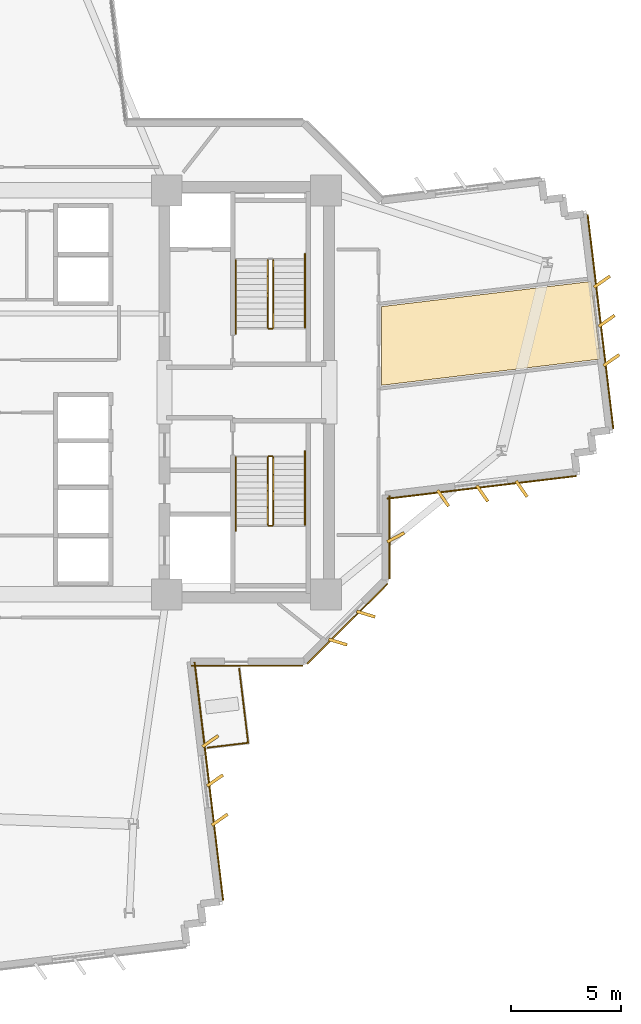
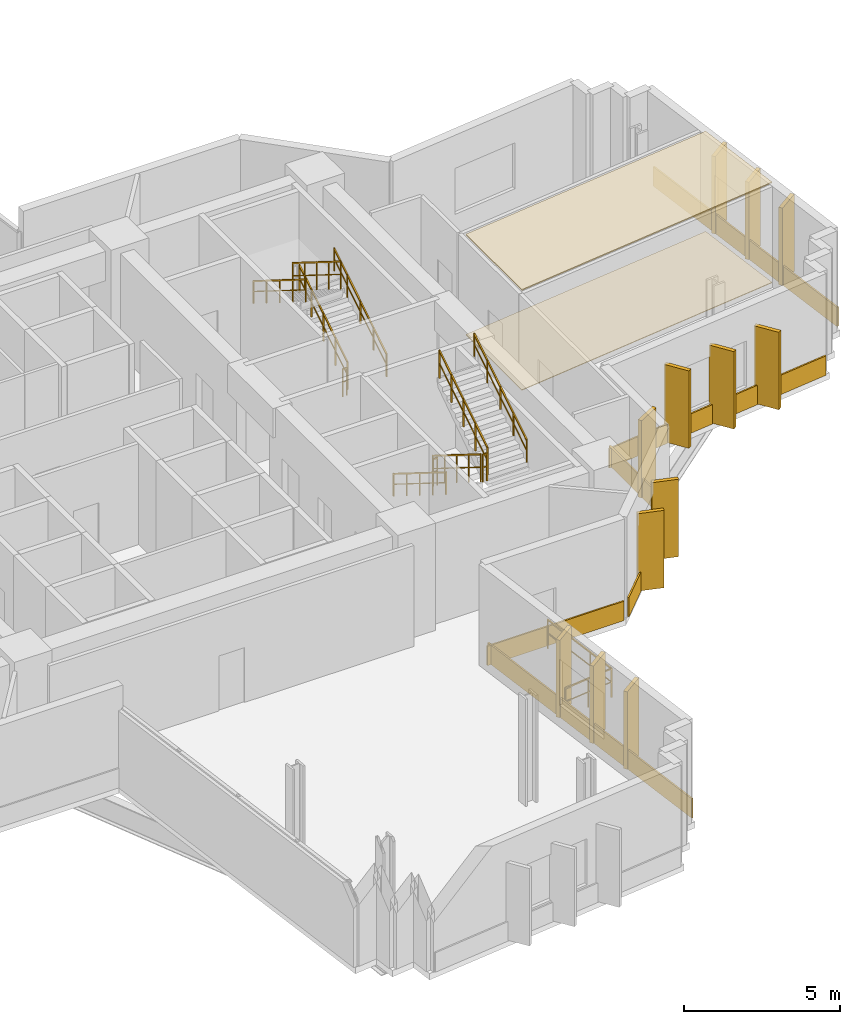
# One storey, part 13 of 15: 20 coverings, 13 railings.
"""IFC4 building model written with IfcOpenShell, lengths in metres."""

from ifc_helpers import new_model, si_unit, direction, frame, origin, origin_2d, place, context, subcontext, project, spatial, polyline, rectangle, outline, extrude, source, transform, mapped, material, layer, layer_set, type_object, element, save


model = new_model("IFC4")

# Units and contexts
model_context = context("Model", 3, precision=1e-05, world=origin(), true_north=direction((0.0, 1.0)))
body_context = subcontext(model_context, "Body", "Model", "MODEL_VIEW")
ifc_project = project(units=[si_unit("LENGTHUNIT", "METRE"), si_unit("AREAUNIT", "SQUARE_METRE"), si_unit("VOLUMEUNIT", "CUBIC_METRE"), si_unit("PLANEANGLEUNIT", "RADIAN"), si_unit("MASSUNIT", "GRAM", prefix="KILO")], contexts=[model_context])

# Site, building, storey
site_placement = place(None, origin())
site = spatial("IfcSite", under=ifc_project, at=site_placement, CompositionType="ELEMENT")
building_placement = place(site_placement, origin())
building = spatial("IfcBuilding", under=site, at=building_placement, Name="Zahravan Cultural Tower", CompositionType="ELEMENT")
storey_placement = place(building_placement, frame((0.0, 0.0, 104.699951171875)))
storey = spatial("IfcBuildingStorey", under=building, at=storey_placement, Name="L23", CompositionType="ELEMENT", Elevation=104.699951171875)

# Coverings
ifc_material_1 = material(Name="Acoustic mineral fibreboard")
ifc_layer_1 = layer(ifc_material_1, 0.0400390625)
ifc_layer_set_1 = layer_set([ifc_layer_1], Name="Acoustic mineral fibreboard")
covering_type_1 = type_object("IfcCoveringType", Name="COV-CEIL-AC20", PredefinedType="CEILING", material=ifc_layer_set_1)
covering_1_placement = place(storey_placement, frame((0.0, 0.0, 3.91015625)))
element("IfcCovering", 1, at=covering_1_placement, inside=storey, type_object=covering_type_1, Name="L23 Acoustic Suspended Ceiling", PredefinedType="CEILING", context=body_context, shape_type="SweptSolid", body=[
    extrude(outline(polyline([(62.85009765625, 28.5185546875), (62.42626953125, 32.05322265625), (52.889892578125, 30.909423828125), (52.889892578125, 27.323974609375), (62.85009765625, 28.5185546875)])), origin(), (0.0, 0.0, 1.0), 0.039794921875),
])
ifc_material_2 = material(Name="Terrazzo flooring")
ifc_layer_2 = layer(ifc_material_2, 0.02490234375)
ifc_layer_set_2 = layer_set([ifc_layer_2], Name="Terrazzo flooring")
covering_type_2 = type_object("IfcCoveringType", Name="COV-FLR-TZ25", PredefinedType="FLOORING", material=ifc_layer_set_2)
covering_2_placement = place(storey_placement, origin())
element("IfcCovering", 2, at=covering_2_placement, inside=storey, type_object=covering_type_2, Name="L23 Polished Terrazzo Flooring", PredefinedType="FLOORING", context=body_context, shape_type="SweptSolid", body=[
    extrude(outline(polyline([(62.85009765625, 28.5185546875), (62.42626953125, 32.05322265625), (52.889892578125, 30.909423828125), (52.889892578125, 27.323974609375), (62.85009765625, 28.5185546875)])), origin(), (0.0, 0.0, 1.0), 0.025146484375),
])

# Railings
ifc_material_3 = material(Name="Steel ASTM A572 Grade 50", Category="steel")
railing_type_1 = type_object("IfcRailingType", Name="RL-BAL-1150", PredefinedType="BALUSTRADE", material=ifc_material_3)
railing_1_placement = place(storey_placement, frame((46.807373046875, 11.043701171875, 0.0)))
element("IfcRailing", 3, at=railing_1_placement, inside=storey, type_object=railing_type_1, Name="L23 Edge Balustrade GRD-TR-L23-SE-01", PredefinedType="BALUSTRADE", context=body_context, shape_type="SweptSolid", body=[
    extrude(rectangle(XDim=0.05, YDim=0.05, at=origin_2d()), frame((0.0, 0.0, 1.125), z_axis=(-0.9928749651, -0.119160831138, 0.0), x_axis=(0.119160831138, -0.9928749651, 0.0)), (0.0, 0.0, 1.0), 1.85009765625),
    extrude(rectangle(XDim=0.032, YDim=0.032, at=origin_2d()), frame((0.0, 0.0, 0.597900390625), z_axis=(-0.9928749651, -0.119160831138, 0.0), x_axis=(0.119160831138, -0.9928749651, 0.0)), (0.0, 0.0, 1.0), 1.85009765625),
    extrude(rectangle(XDim=0.04, YDim=0.04, at=origin_2d()), origin(), (0.0, 0.0, 1.0), 1.14990234375),
    extrude(rectangle(XDim=0.04, YDim=0.04, at=origin_2d()), frame((-0.91845703125, -0.1103515625, 0.0)), (0.0, 0.0, 1.0), 1.14990234375),
    extrude(rectangle(XDim=0.04, YDim=0.04, at=origin_2d()), frame((-1.8369140625, -0.220458984375, 0.0)), (0.0, 0.0, 1.0), 1.14990234375),
])
railing_2_placement = place(storey_placement, frame((46.40234375, 14.419921875, 0.0)))
element("IfcRailing", 4, at=railing_2_placement, inside=storey, type_object=railing_type_1, Name="L23 Edge Balustrade GRD-TR-L23-SE-02", PredefinedType="BALUSTRADE", context=body_context, shape_type="SweptSolid", body=[
    extrude(rectangle(XDim=0.05, YDim=0.05, at=origin_2d()), frame((0.0, 0.0, 1.125), z_axis=(0.119111247198, -0.992880914708, 0.0), x_axis=(0.992880914708, 0.119111247198, 0.0)), (0.0, 0.0, 1.0), 3.400390625),
    extrude(rectangle(XDim=0.032, YDim=0.032, at=origin_2d()), frame((0.0, 0.0, 0.597900390625), z_axis=(0.119111247198, -0.992880914708, 0.0), x_axis=(0.992880914708, 0.119111247198, 0.0)), (0.0, 0.0, 1.0), 3.400390625),
    extrude(rectangle(XDim=0.04, YDim=0.04, at=origin_2d()), origin(), (0.0, 0.0, 1.0), 1.14990234375),
    extrude(rectangle(XDim=0.04, YDim=0.04, at=origin_2d()), frame((0.135009765625, -1.12548828125, 0.0)), (0.0, 0.0, 1.0), 1.14990234375),
    extrude(rectangle(XDim=0.04, YDim=0.04, at=origin_2d()), frame((0.27001953125, -2.250732421875, 0.0)), (0.0, 0.0, 1.0), 1.14990234375),
    extrude(rectangle(XDim=0.04, YDim=0.04, at=origin_2d()), frame((0.405029296875, -3.376220703125, 0.0)), (0.0, 0.0, 1.0), 1.14990234375),
])
railing_type_2 = type_object("IfcRailingType", Name="RL-STAIR-GRD1150", PredefinedType="BALUSTRADE", material=ifc_material_3)
railing_3_placement = place(storey_placement, frame((47.949951171875, 29.949951171875, 0.175048828125)))
element("IfcRailing", 5, at=railing_3_placement, inside=storey, type_object=railing_type_2, Name="L23 ST-E1 stair guard 1", PredefinedType="BALUSTRADE", context=body_context, shape_type="SweptSolid", body=[
    extrude(rectangle(XDim=0.05, YDim=0.05, at=origin_2d()), frame((0.0, 0.0, 1.0751953125), z_axis=(0.0, 0.847998304005, 0.529998940003), x_axis=(-1.0, 0.0, 0.0)), (0.0, 0.0, 1.0), 3.632080078125),
    extrude(rectangle(XDim=0.032, YDim=0.032, at=origin_2d()), frame((0.0, 0.0, 0.572021484375), z_axis=(0.0, 0.847998304005, 0.529998940003), x_axis=(-1.0, 0.0, 0.0)), (0.0, 0.0, 1.0), 3.632080078125),
    extrude(rectangle(XDim=0.04, YDim=0.04, at=origin_2d()), origin(), (0.0, 0.0, 1.0), 1.10009765625),
    extrude(rectangle(XDim=0.04, YDim=0.04, at=origin_2d()), frame((0.0, 0.77001953125, 0.481201171875)), (0.0, 0.0, 1.0), 1.10009765625),
    extrude(rectangle(XDim=0.04, YDim=0.04, at=origin_2d()), frame((0.0, 1.5400390625, 0.96240234375)), (0.0, 0.0, 1.0), 1.10009765625),
    extrude(rectangle(XDim=0.04, YDim=0.04, at=origin_2d()), frame((0.0, 2.31005859375, 1.44384765625)), (0.0, 0.0, 1.0), 1.10009765625),
    extrude(rectangle(XDim=0.04, YDim=0.04, at=origin_2d()), frame((0.0, 3.080078125, 1.925048828125)), (0.0, 0.0, 1.0), 1.10009765625),
])
railing_4_placement = place(storey_placement, frame((47.699951171875, 33.030029296875, 2.275146484375)))
element("IfcRailing", 6, at=railing_4_placement, inside=storey, type_object=railing_type_2, Name="L23 ST-E1 stair guard 3", PredefinedType="BALUSTRADE", context=body_context, shape_type="SweptSolid", body=[
    extrude(rectangle(XDim=0.05, YDim=0.05, at=origin_2d()), frame((0.0, 0.0, 1.0751953125), z_axis=(0.0, -0.848028513186, 0.529950602248), x_axis=(1.0, 0.0, 0.0)), (0.0, 0.0, 1.0), 3.632080078125),
    extrude(rectangle(XDim=0.032, YDim=0.032, at=origin_2d()), frame((0.0, 0.0, 0.572021484375), z_axis=(0.0, -0.848028513186, 0.529950602248), x_axis=(1.0, 0.0, 0.0)), (0.0, 0.0, 1.0), 3.632080078125),
    extrude(rectangle(XDim=0.04, YDim=0.04, at=origin_2d()), origin(), (0.0, 0.0, 1.0), 1.10009765625),
    extrude(rectangle(XDim=0.04, YDim=0.04, at=origin_2d()), frame((0.0, -0.77001953125, 0.481201171875)), (0.0, 0.0, 1.0), 1.10009765625),
    extrude(rectangle(XDim=0.04, YDim=0.04, at=origin_2d()), frame((0.0, -1.5400390625, 0.96240234375)), (0.0, 0.0, 1.0), 1.10009765625),
    extrude(rectangle(XDim=0.04, YDim=0.04, at=origin_2d()), frame((0.0, -2.31005859375, 1.443603515625)), (0.0, 0.0, 1.0), 1.10009765625),
    extrude(rectangle(XDim=0.04, YDim=0.04, at=origin_2d()), frame((0.0, -3.080078125, 1.9248046875)), (0.0, 0.0, 1.0), 1.10009765625),
])
railing_5_placement = place(storey_placement, frame((47.89990234375, 29.89990234375, 0.0)))
element("IfcRailing", 7, at=railing_5_placement, inside=storey, type_object=railing_type_2, Name="L23 ST-E1 stair guard 4", PredefinedType="BALUSTRADE", context=body_context, shape_type="SweptSolid", body=[
    extrude(rectangle(XDim=0.05, YDim=0.05, at=origin_2d()), frame((0.0, 0.0, 1.0751953125), z_axis=(-1.0, 0.0, 0.0), x_axis=(0.0, -1.0, 0.0)), (0.0, 0.0, 1.0), 0.14990234375),
    extrude(rectangle(XDim=0.032, YDim=0.032, at=origin_2d()), frame((0.0, 0.0, 0.572021484375), z_axis=(-1.0, 0.0, 0.0), x_axis=(0.0, -1.0, 0.0)), (0.0, 0.0, 1.0), 0.14990234375),
    extrude(rectangle(XDim=0.04, YDim=0.04, at=origin_2d()), origin(), (0.0, 0.0, 1.0), 1.10009765625),
    extrude(rectangle(XDim=0.04, YDim=0.04, at=origin_2d()), frame((-0.14990234375, 0.0, 0.0)), (0.0, 0.0, 1.0), 1.10009765625),
])
railing_6_placement = place(storey_placement, frame((47.699951171875, 24.050048828125, 0.175048828125)))
element("IfcRailing", 8, at=railing_6_placement, inside=storey, type_object=railing_type_2, Name="L23 ST-E2 stair guard 1", PredefinedType="BALUSTRADE", context=body_context, shape_type="SweptSolid", body=[
    extrude(rectangle(XDim=0.05, YDim=0.05, at=origin_2d()), frame((0.0, 0.0, 1.0751953125), z_axis=(0.0, -0.847998304005, 0.529998940003), x_axis=(1.0, 0.0, 0.0)), (0.0, 0.0, 1.0), 3.632080078125),
    extrude(rectangle(XDim=0.032, YDim=0.032, at=origin_2d()), frame((0.0, 0.0, 0.572021484375), z_axis=(0.0, -0.847998304005, 0.529998940003), x_axis=(1.0, 0.0, 0.0)), (0.0, 0.0, 1.0), 3.632080078125),
    extrude(rectangle(XDim=0.04, YDim=0.04, at=origin_2d()), origin(), (0.0, 0.0, 1.0), 1.10009765625),
    extrude(rectangle(XDim=0.04, YDim=0.04, at=origin_2d()), frame((0.0, -0.77001953125, 0.481201171875)), (0.0, 0.0, 1.0), 1.10009765625),
    extrude(rectangle(XDim=0.04, YDim=0.04, at=origin_2d()), frame((0.0, -1.5400390625, 0.96240234375)), (0.0, 0.0, 1.0), 1.10009765625),
    extrude(rectangle(XDim=0.04, YDim=0.04, at=origin_2d()), frame((0.0, -2.31005859375, 1.44384765625)), (0.0, 0.0, 1.0), 1.10009765625),
    extrude(rectangle(XDim=0.04, YDim=0.04, at=origin_2d()), frame((0.0, -3.080078125, 1.925048828125)), (0.0, 0.0, 1.0), 1.10009765625),
])
railing_7_placement = place(storey_placement, frame((47.75, 20.919921875, 2.10009765625)))
element("IfcRailing", 9, at=railing_7_placement, inside=storey, type_object=railing_type_2, Name="L23 ST-E2 stair guard 2", PredefinedType="BALUSTRADE", context=body_context, shape_type="SweptSolid", body=[
    extrude(rectangle(XDim=0.05, YDim=0.05, at=origin_2d()), frame((0.0, 0.0, 1.0751953125), z_axis=(1.0, 0.0, 0.0), x_axis=(0.0, 1.0, 0.0)), (0.0, 0.0, 1.0), 0.14990234375),
    extrude(rectangle(XDim=0.032, YDim=0.032, at=origin_2d()), frame((0.0, 0.0, 0.572021484375), z_axis=(1.0, 0.0, 0.0), x_axis=(0.0, 1.0, 0.0)), (0.0, 0.0, 1.0), 0.14990234375),
    extrude(rectangle(XDim=0.04, YDim=0.04, at=origin_2d()), origin(), (0.0, 0.0, 1.0), 1.10009765625),
    extrude(rectangle(XDim=0.04, YDim=0.04, at=origin_2d()), frame((0.14990234375, 0.0, 0.0)), (0.0, 0.0, 1.0), 1.10009765625),
])
railing_8_placement = place(storey_placement, frame((47.949951171875, 20.969970703125, 2.275146484375)))
element("IfcRailing", 10, at=railing_8_placement, inside=storey, type_object=railing_type_2, Name="L23 ST-E2 stair guard 3", PredefinedType="BALUSTRADE", context=body_context, shape_type="SweptSolid", body=[
    extrude(rectangle(XDim=0.05, YDim=0.05, at=origin_2d()), frame((0.0, 0.0, 1.0751953125), z_axis=(0.0, 0.848028513186, 0.529950602248), x_axis=(-1.0, 0.0, 0.0)), (0.0, 0.0, 1.0), 3.632080078125),
    extrude(rectangle(XDim=0.032, YDim=0.032, at=origin_2d()), frame((0.0, 0.0, 0.572021484375), z_axis=(0.0, 0.848028513186, 0.529950602248), x_axis=(-1.0, 0.0, 0.0)), (0.0, 0.0, 1.0), 3.632080078125),
    extrude(rectangle(XDim=0.04, YDim=0.04, at=origin_2d()), origin(), (0.0, 0.0, 1.0), 1.10009765625),
    extrude(rectangle(XDim=0.04, YDim=0.04, at=origin_2d()), frame((0.0, 0.77001953125, 0.481201171875)), (0.0, 0.0, 1.0), 1.10009765625),
    extrude(rectangle(XDim=0.04, YDim=0.04, at=origin_2d()), frame((0.0, 1.5400390625, 0.96240234375)), (0.0, 0.0, 1.0), 1.10009765625),
    extrude(rectangle(XDim=0.04, YDim=0.04, at=origin_2d()), frame((0.0, 2.31005859375, 1.443603515625)), (0.0, 0.0, 1.0), 1.10009765625),
    extrude(rectangle(XDim=0.04, YDim=0.04, at=origin_2d()), frame((0.0, 3.080078125, 1.9248046875)), (0.0, 0.0, 1.0), 1.10009765625),
])
railing_9_placement = place(storey_placement, frame((47.75, 24.10009765625, 0.0)))
element("IfcRailing", 11, at=railing_9_placement, inside=storey, type_object=railing_type_2, Name="L23 ST-E2 stair guard 4", PredefinedType="BALUSTRADE", context=body_context, shape_type="SweptSolid", body=[
    extrude(rectangle(XDim=0.05, YDim=0.05, at=origin_2d()), frame((0.0, 0.0, 1.0751953125), z_axis=(1.0, 0.0, 0.0), x_axis=(0.0, 1.0, 0.0)), (0.0, 0.0, 1.0), 0.14990234375),
    extrude(rectangle(XDim=0.032, YDim=0.032, at=origin_2d()), frame((0.0, 0.0, 0.572021484375), z_axis=(1.0, 0.0, 0.0), x_axis=(0.0, 1.0, 0.0)), (0.0, 0.0, 1.0), 0.14990234375),
    extrude(rectangle(XDim=0.04, YDim=0.04, at=origin_2d()), origin(), (0.0, 0.0, 1.0), 1.10009765625),
    extrude(rectangle(XDim=0.04, YDim=0.04, at=origin_2d()), frame((0.14990234375, 0.0, 0.0)), (0.0, 0.0, 1.0), 1.10009765625),
])
railing_type_3 = type_object("IfcRailingType", Name="RL-STAIR-HR900", PredefinedType="HANDRAIL", material=ifc_material_3)
railing_10_placement = place(storey_placement, frame((49.39990234375, 29.949951171875, 0.175048828125)))
element("IfcRailing", 12, at=railing_10_placement, inside=storey, type_object=railing_type_3, Name="L23 ST-E1 stair handrail 1", PredefinedType="HANDRAIL", context=body_context, shape_type="SweptSolid", body=[
    extrude(rectangle(XDim=0.05, YDim=0.05, at=origin_2d()), frame((0.0, 0.0, 0.875), z_axis=(0.0, 0.847994842521, 0.530004478338), x_axis=(-1.0, 0.0, 0.0)), (0.0, 0.0, 1.0), 3.96240234375),
    extrude(rectangle(XDim=0.032, YDim=0.032, at=origin_2d()), frame((0.0, 0.0, 0.468017578125), z_axis=(0.0, 0.847994842521, 0.530004478338), x_axis=(-1.0, 0.0, 0.0)), (0.0, 0.0, 1.0), 3.96240234375),
    extrude(rectangle(XDim=0.04, YDim=0.04, at=origin_2d()), origin(), (0.0, 0.0, 1.0), 0.89990234375),
    extrude(rectangle(XDim=0.04, YDim=0.04, at=origin_2d()), frame((0.0, 0.840087890625, 0.52490234375)), (0.0, 0.0, 1.0), 0.89990234375),
    extrude(rectangle(XDim=0.04, YDim=0.04, at=origin_2d()), frame((0.0, 1.68017578125, 1.050048828125)), (0.0, 0.0, 1.0), 0.89990234375),
    extrude(rectangle(XDim=0.04, YDim=0.04, at=origin_2d()), frame((0.0, 2.52001953125, 1.5751953125)), (0.0, 0.0, 1.0), 0.89990234375),
    extrude(rectangle(XDim=0.04, YDim=0.04, at=origin_2d()), frame((0.0, 3.360107421875, 2.10009765625)), (0.0, 0.0, 1.0), 0.89990234375),
])
railing_11_placement = place(storey_placement, frame((46.25, 33.030029296875, 2.275146484375)))
element("IfcRailing", 13, at=railing_11_placement, inside=storey, type_object=railing_type_3, Name="L23 ST-E1 stair handrail 2", PredefinedType="HANDRAIL", context=body_context, shape_type="SweptSolid", body=[
    extrude(rectangle(XDim=0.05, YDim=0.05, at=origin_2d()), frame((0.0, 0.0, 0.875), z_axis=(0.0, -0.848022534174, 0.529960169762), x_axis=(1.0, 0.0, 0.0)), (0.0, 0.0, 1.0), 3.96240234375),
    extrude(rectangle(XDim=0.032, YDim=0.032, at=origin_2d()), frame((0.0, 0.0, 0.468017578125), z_axis=(0.0, -0.848022534174, 0.529960169762), x_axis=(1.0, 0.0, 0.0)), (0.0, 0.0, 1.0), 3.96240234375),
    extrude(rectangle(XDim=0.04, YDim=0.04, at=origin_2d()), origin(), (0.0, 0.0, 1.0), 0.89990234375),
    extrude(rectangle(XDim=0.04, YDim=0.04, at=origin_2d()), frame((0.0, -0.840087890625, 0.52490234375)), (0.0, 0.0, 1.0), 0.89990234375),
    extrude(rectangle(XDim=0.04, YDim=0.04, at=origin_2d()), frame((0.0, -1.68017578125, 1.0498046875)), (0.0, 0.0, 1.0), 0.89990234375),
    extrude(rectangle(XDim=0.04, YDim=0.04, at=origin_2d()), frame((0.0, -2.52001953125, 1.574951171875)), (0.0, 0.0, 1.0), 0.89990234375),
    extrude(rectangle(XDim=0.04, YDim=0.04, at=origin_2d()), frame((0.0, -3.360107421875, 2.099853515625)), (0.0, 0.0, 1.0), 0.89990234375),
])
railing_12_placement = place(storey_placement, frame((46.25, 24.050048828125, 0.175048828125)))
element("IfcRailing", 14, at=railing_12_placement, inside=storey, type_object=railing_type_3, Name="L23 ST-E2 stair handrail 1", PredefinedType="HANDRAIL", context=body_context, shape_type="SweptSolid", body=[
    extrude(rectangle(XDim=0.05, YDim=0.05, at=origin_2d()), frame((0.0, 0.0, 0.875), z_axis=(0.0, -0.847994842521, 0.530004478338), x_axis=(1.0, 0.0, 0.0)), (0.0, 0.0, 1.0), 3.96240234375),
    extrude(rectangle(XDim=0.032, YDim=0.032, at=origin_2d()), frame((0.0, 0.0, 0.468017578125), z_axis=(0.0, -0.847994842521, 0.530004478338), x_axis=(1.0, 0.0, 0.0)), (0.0, 0.0, 1.0), 3.96240234375),
    extrude(rectangle(XDim=0.04, YDim=0.04, at=origin_2d()), origin(), (0.0, 0.0, 1.0), 0.89990234375),
    extrude(rectangle(XDim=0.04, YDim=0.04, at=origin_2d()), frame((0.0, -0.840087890625, 0.52490234375)), (0.0, 0.0, 1.0), 0.89990234375),
    extrude(rectangle(XDim=0.04, YDim=0.04, at=origin_2d()), frame((0.0, -1.68017578125, 1.050048828125)), (0.0, 0.0, 1.0), 0.89990234375),
    extrude(rectangle(XDim=0.04, YDim=0.04, at=origin_2d()), frame((0.0, -2.52001953125, 1.5751953125)), (0.0, 0.0, 1.0), 0.89990234375),
    extrude(rectangle(XDim=0.04, YDim=0.04, at=origin_2d()), frame((0.0, -3.360107421875, 2.10009765625)), (0.0, 0.0, 1.0), 0.89990234375),
])
railing_13_placement = place(storey_placement, frame((49.39990234375, 20.969970703125, 2.275146484375)))
element("IfcRailing", 15, at=railing_13_placement, inside=storey, type_object=railing_type_3, Name="L23 ST-E2 stair handrail 2", PredefinedType="HANDRAIL", context=body_context, shape_type="SweptSolid", body=[
    extrude(rectangle(XDim=0.05, YDim=0.05, at=origin_2d()), frame((0.0, 0.0, 0.875), z_axis=(0.0, 0.848022534174, 0.529960169762), x_axis=(-1.0, 0.0, 0.0)), (0.0, 0.0, 1.0), 3.96240234375),
    extrude(rectangle(XDim=0.032, YDim=0.032, at=origin_2d()), frame((0.0, 0.0, 0.468017578125), z_axis=(0.0, 0.848022534174, 0.529960169762), x_axis=(-1.0, 0.0, 0.0)), (0.0, 0.0, 1.0), 3.96240234375),
    extrude(rectangle(XDim=0.04, YDim=0.04, at=origin_2d()), origin(), (0.0, 0.0, 1.0), 0.89990234375),
    extrude(rectangle(XDim=0.04, YDim=0.04, at=origin_2d()), frame((0.0, 0.840087890625, 0.52490234375)), (0.0, 0.0, 1.0), 0.89990234375),
    extrude(rectangle(XDim=0.04, YDim=0.04, at=origin_2d()), frame((0.0, 1.68017578125, 1.0498046875)), (0.0, 0.0, 1.0), 0.89990234375),
    extrude(rectangle(XDim=0.04, YDim=0.04, at=origin_2d()), frame((0.0, 2.52001953125, 1.574951171875)), (0.0, 0.0, 1.0), 0.89990234375),
    extrude(rectangle(XDim=0.04, YDim=0.04, at=origin_2d()), frame((0.0, 3.360107421875, 2.099853515625)), (0.0, 0.0, 1.0), 0.89990234375),
])

# Coverings
ifc_material_4 = material(Name="Terracotta ceramic cladding", Category="masonry")
ifc_layer_3 = layer(ifc_material_4, 0.06005859375)
ifc_layer_set_3 = layer_set([ifc_layer_3], Name="Terracotta ceramic cladding")
covering_type_3 = type_object("IfcCoveringType", Name="COV-CLAD-TC60", PredefinedType="CLADDING", material=ifc_layer_set_3)
shared_shape_1 = source(origin(), body_context, "Body", "SweptSolid", [
    extrude(rectangle(XDim=9.820068359375, YDim=0.06005859375, at=origin_2d()), origin(), (0.0, 0.0, 1.0), 0.760009765625),
])
covering_3_placement = place(storey_placement, frame((62.8525390625, 30.220947265625, 0.02001953125), z_axis=(0.0, 0.0, 1.0), x_axis=(0.119097160095, -0.99288260457, 0.0)))
element("IfcCovering", 16, at=covering_3_placement, inside=storey, type_object=covering_type_3, Name="L23 Terracotta Spandrel Cladding 06", PredefinedType="CLADDING", context=body_context, shape_type="MappedRepresentation", body=[
    mapped(shared_shape_1, transform((0.0, 0.0, 0.0), x_axis=(1.0, 0.0, 0.0), y_axis=(0.0, 1.0, 0.0), z_axis=(0.0, 0.0, 1.0), scale=1.0)),
])
shared_shape_2 = source(origin(), body_context, "Body", "SweptSolid", [
    extrude(rectangle(XDim=5.157958984375, YDim=0.06005859375, at=origin_2d()), origin(), (0.0, 0.0, 1.0), 0.760009765625),
])
covering_4_placement = place(storey_placement, frame((51.331787109375, 16.46826171875, 0.02001953125), z_axis=(0.0, 0.0, 1.0), x_axis=(-0.707106781187, -0.707106781187, 0.0)))
element("IfcCovering", 17, at=covering_4_placement, inside=storey, type_object=covering_type_3, Name="L23 Terracotta Spandrel Cladding 13", PredefinedType="CLADDING", context=body_context, shape_type="MappedRepresentation", body=[
    mapped(shared_shape_2, transform((0.0, 0.0, 0.0), x_axis=(1.0, 0.0, 0.0), y_axis=(0.0, 1.0, 0.0), z_axis=(0.0, 0.0, 1.0), scale=1.0)),
])
shared_shape_3 = source(origin(), body_context, "Body", "SweptSolid", [
    extrude(rectangle(XDim=0.8798828125, YDim=0.139892578125, at=origin_2d()), origin(), (0.0, 0.0, 1.0), 3.030029296875),
])
for number, where, z_axis, x_axis, name in (
    (18, (62.921142578125, 32.0419921875, 0.0498046875), (0.0, 0.0, 1.0), (0.820750575823, 0.571286698852, 0.0), "L23 Herringbone Terracotta Fin 04"),
    (19, (63.135498046875, 30.2548828125, 0.0498046875), (0.0, 0.0, 1.0), (0.820750575823, 0.571286698852, 0.0), "L23 Herringbone Terracotta Fin 05"),
    (20, (63.349853515625, 28.4677734375, 0.0498046875), (0.0, 0.0, 1.0), (0.820750575823, 0.571286698852, 0.0), "L23 Herringbone Terracotta Fin 06"),
    (21, (59.26025390625, 22.60888671875, 0.0498046875), (0.0, 0.0, 1.0), (0.571286698852, -0.820750575823, 0.0), "L23 Herringbone Terracotta Fin 07"),
    (22, (57.472900390625, 22.39453125, 0.0498046875), (0.0, 0.0, 1.0), (0.571286698852, -0.820750575823, 0.0), "L23 Herringbone Terracotta Fin 08"),
    (23, (55.685791015625, 22.18017578125, 0.0498046875), (0.0, 0.0, 1.0), (0.571286698852, -0.820750575823, 0.0), "L23 Herringbone Terracotta Fin 09"),
    (24, (53.530029296875, 20.398193359375, 0.0498046875), (0.0, 0.0, 1.0), (0.882947592859, 0.469471562786, 0.0), "L23 Herringbone Terracotta Fin 10"),
    (25, (52.169677734375, 16.903076171875, 0.0498046875), (0.0, 0.0, 1.0), (0.956304755963, -0.292371704723, 0.0), "L23 Herringbone Terracotta Fin 11"),
    (26, (50.89697265625, 15.63037109375, 0.0498046875), (0.0, 0.0, 1.0), (0.956304755963, -0.292371704723, 0.0), "L23 Herringbone Terracotta Fin 12"),
    (27, (45.08642578125, 11.11572265625, 0.0498046875), (0.0, 0.0, 1.0), (0.820750575823, 0.571286698852, 0.0), "L23 Herringbone Terracotta Fin 13"),
    (28, (45.30078125, 9.32861328125, 0.0498046875), (0.0, 0.0, 1.0), (0.820750575823, 0.571286698852, 0.0), "L23 Herringbone Terracotta Fin 14"),
    (29, (45.51513671875, 7.541259765625, 0.0498046875), (0.0, 0.0, 1.0), (0.820750575823, 0.571286698852, 0.0), "L23 Herringbone Terracotta Fin 15"),
):
    element("IfcCovering", number, at=place(storey_placement, frame(where, z_axis=z_axis, x_axis=x_axis)), inside=storey, type_object=covering_type_3, Name=name, PredefinedType="CLADDING", context=body_context, shape_type="MappedRepresentation", body=[
        mapped(shared_shape_3, transform((0.0, 0.0, 0.0), x_axis=(1.0, 0.0, 0.0), y_axis=(0.0, 1.0, 0.0), z_axis=(0.0, 0.0, 1.0), scale=1.0)),
    ])
shared_shape_4 = source(origin(), body_context, "Body", "SweptSolid", [
    extrude(rectangle(XDim=8.676513671875, YDim=0.06005859375, at=origin_2d()), origin(), (0.0, 0.0, 1.0), 0.760009765625),
])
covering_5_placement = place(storey_placement, frame((57.439208984375, 22.677490234375, 0.02001953125), z_axis=(0.0, 0.0, 1.0), x_axis=(-0.99288260457, -0.119097160095, 0.0)))
element("IfcCovering", 30, at=covering_5_placement, inside=storey, type_object=covering_type_3, Name="L23 Terracotta Spandrel Cladding 11", PredefinedType="CLADDING", context=body_context, shape_type="MappedRepresentation", body=[
    mapped(shared_shape_4, transform((0.0, 0.0, 0.0), x_axis=(1.0, 0.0, 0.0), y_axis=(0.0, 1.0, 0.0), z_axis=(0.0, 0.0, 1.0), scale=1.0)),
])
shared_shape_5 = source(origin(), body_context, "Body", "SweptSolid", [
    extrude(rectangle(XDim=3.780517578125, YDim=0.06005859375, at=origin_2d()), origin(), (0.0, 0.0, 1.0), 0.760009765625),
])
covering_6_placement = place(storey_placement, frame((53.2451171875, 20.398193359375, 0.02001953125), z_axis=(0.0, 0.0, 1.0), x_axis=(0.0, -1.0, 0.0)))
element("IfcCovering", 31, at=covering_6_placement, inside=storey, type_object=covering_type_3, Name="L23 Terracotta Spandrel Cladding 12", PredefinedType="CLADDING", context=body_context, shape_type="MappedRepresentation", body=[
    mapped(shared_shape_5, transform((0.0, 0.0, 0.0), x_axis=(1.0, 0.0, 0.0), y_axis=(0.0, 1.0, 0.0), z_axis=(0.0, 0.0, 1.0), scale=1.0)),
])
shared_shape_6 = source(origin(), body_context, "Body", "SweptSolid", [
    extrude(rectangle(XDim=5.063720703125, YDim=0.06005859375, at=origin_2d()), origin(), (0.0, 0.0, 1.0), 0.760009765625),
])
covering_7_placement = place(storey_placement, frame((46.76025390625, 14.554931640625, 0.02001953125), z_axis=(0.0, 0.0, 1.0), x_axis=(-1.0, 0.0, 0.0)))
element("IfcCovering", 32, at=covering_7_placement, inside=storey, type_object=covering_type_3, Name="L23 Terracotta Spandrel Cladding 14", PredefinedType="CLADDING", context=body_context, shape_type="MappedRepresentation", body=[
    mapped(shared_shape_6, transform((0.0, 0.0, 0.0), x_axis=(1.0, 0.0, 0.0), y_axis=(0.0, 1.0, 0.0), z_axis=(0.0, 0.0, 1.0), scale=1.0)),
])
shared_shape_7 = source(origin(), body_context, "Body", "SweptSolid", [
    extrude(rectangle(XDim=10.913330078125, YDim=0.06005859375, at=origin_2d()), origin(), (0.0, 0.0, 1.0), 0.760009765625),
])
covering_8_placement = place(storey_placement, frame((45.017822265625, 9.294677734375, 0.02001953125), z_axis=(0.0, 0.0, 1.0), x_axis=(0.119097160095, -0.99288260457, 0.0)))
element("IfcCovering", 33, at=covering_8_placement, inside=storey, type_object=covering_type_3, Name="L23 Terracotta Spandrel Cladding 15", PredefinedType="CLADDING", context=body_context, shape_type="MappedRepresentation", body=[
    mapped(shared_shape_7, transform((0.0, 0.0, 0.0), x_axis=(1.0, 0.0, 0.0), y_axis=(0.0, 1.0, 0.0), z_axis=(0.0, 0.0, 1.0), scale=1.0)),
])

save(model, "model.ifc")
